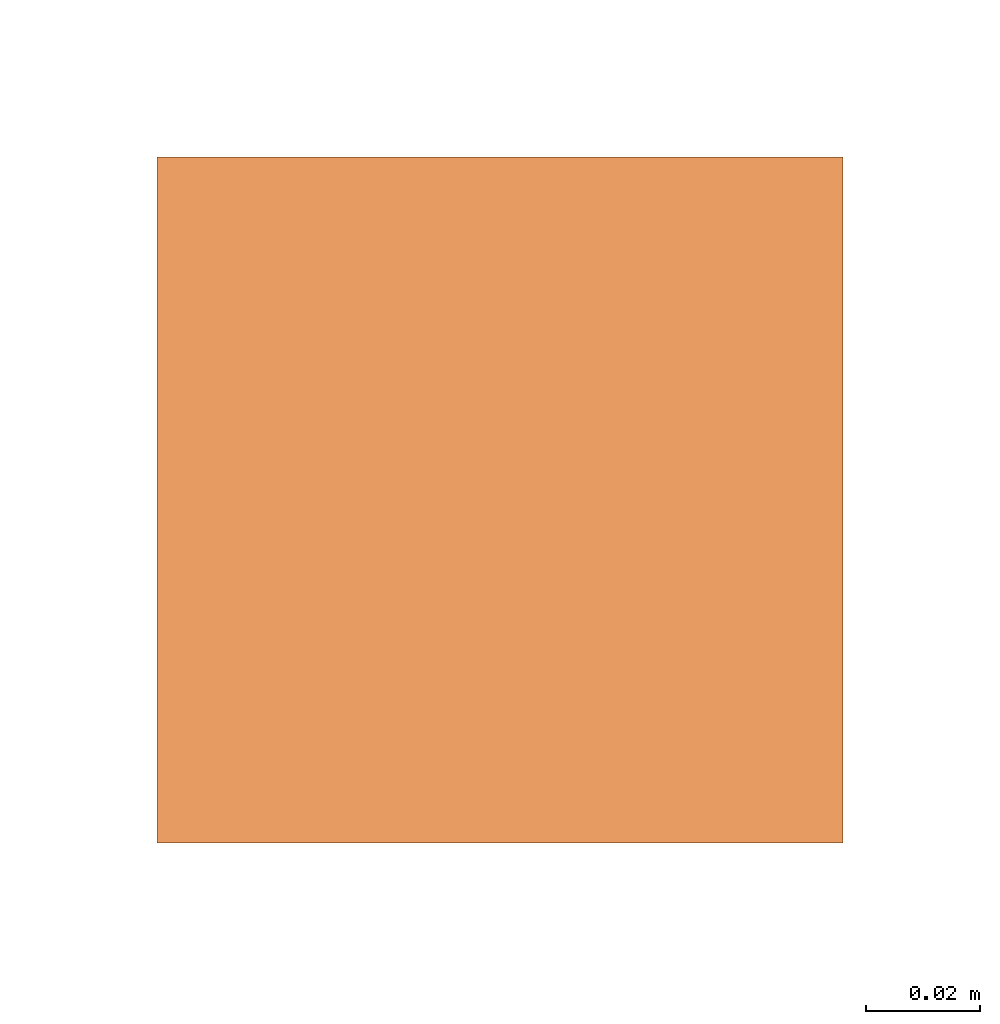
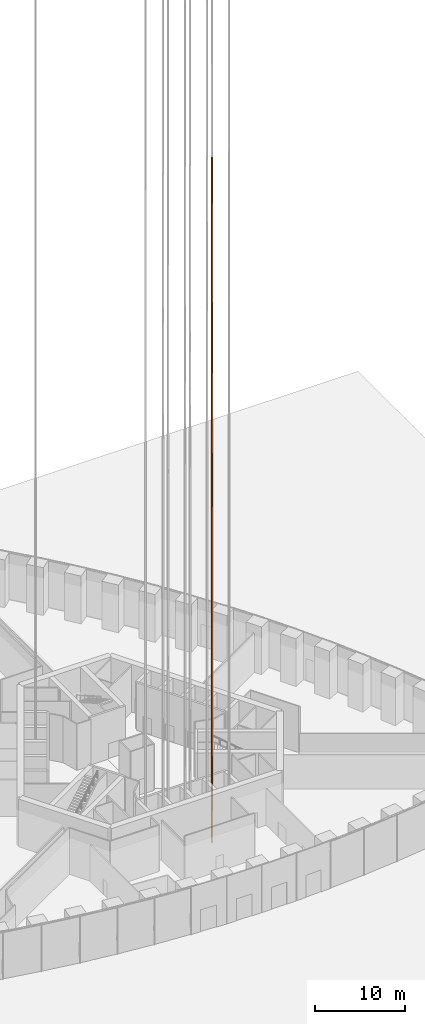
# One storey, part 30 of 43: 1 proxy.
"""IFC4 building model written with IfcOpenShell, lengths in metres."""

from ifc_helpers import new_model, si_unit, direction, frame, origin, origin_2d, place, context, subcontext, project, spatial, rectangle, extrude, element, save


model = new_model("IFC4")

# Units and contexts
model_context = context("Model", 3, precision=1e-05, world=origin(), true_north=direction((0.0, 1.0)))
body_context = subcontext(model_context, "Body", "Model", "MODEL_VIEW")
ifc_project = project(units=[si_unit("LENGTHUNIT", "METRE"), si_unit("AREAUNIT", "SQUARE_METRE"), si_unit("VOLUMEUNIT", "CUBIC_METRE"), si_unit("PLANEANGLEUNIT", "RADIAN"), si_unit("MASSUNIT", "GRAM", prefix="KILO")], contexts=[model_context])

# Site, building, storey
site_placement = place(None, origin())
site = spatial("IfcSite", under=ifc_project, at=site_placement, CompositionType="ELEMENT")
building_placement = place(site_placement, origin())
building = spatial("IfcBuilding", under=site, at=building_placement, Name="Trefoil Bronze Tower", CompositionType="ELEMENT")
storey_placement = place(building_placement, origin())
storey = spatial("IfcBuildingStorey", under=building, at=storey_placement, Name="L00", CompositionType="ELEMENT", Elevation=0.0)

# Proxy
proxy_placement = place(storey_placement, frame((3.1650390625, -11.3125, -1.60009765625), z_axis=(0.0, 0.0, 1.0), x_axis=(1.0, 0.0, 0.0)))
element("IfcBuildingElementProxy", 1, at=proxy_placement, inside=storey, Name="Lift P14 guide rail 1", ObjectType="LIFT GUIDE RAIL", PredefinedType="USERDEFINED", context=body_context, shape_type="SweptSolid", body=[
    extrude(rectangle(XDim=0.1201171875, YDim=0.1201171875, at=origin_2d()), origin(), (0.0, 0.0, 1.0), 93.35009765625),
])

save(model, "model.ifc")
